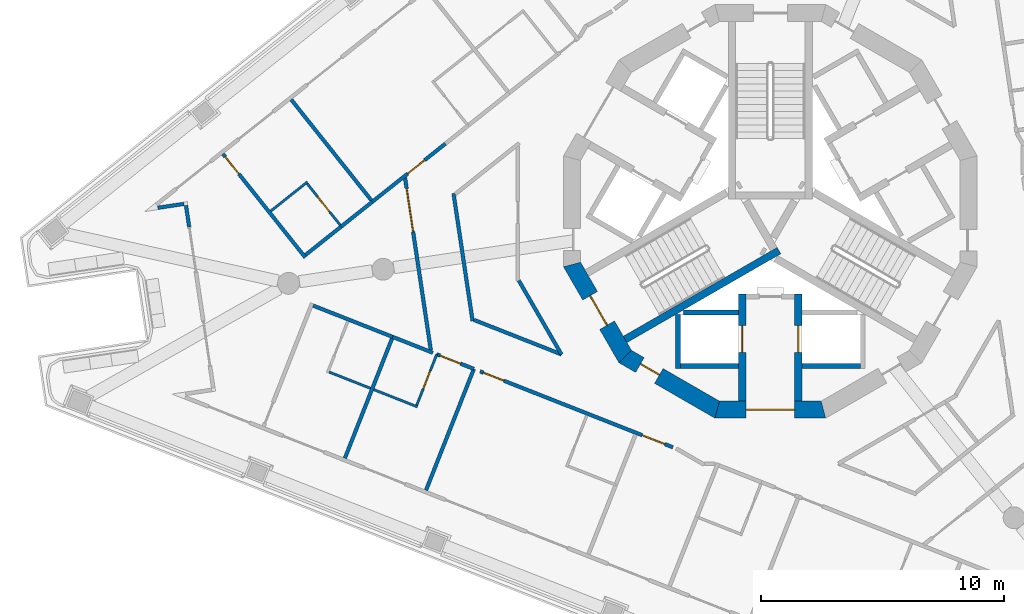
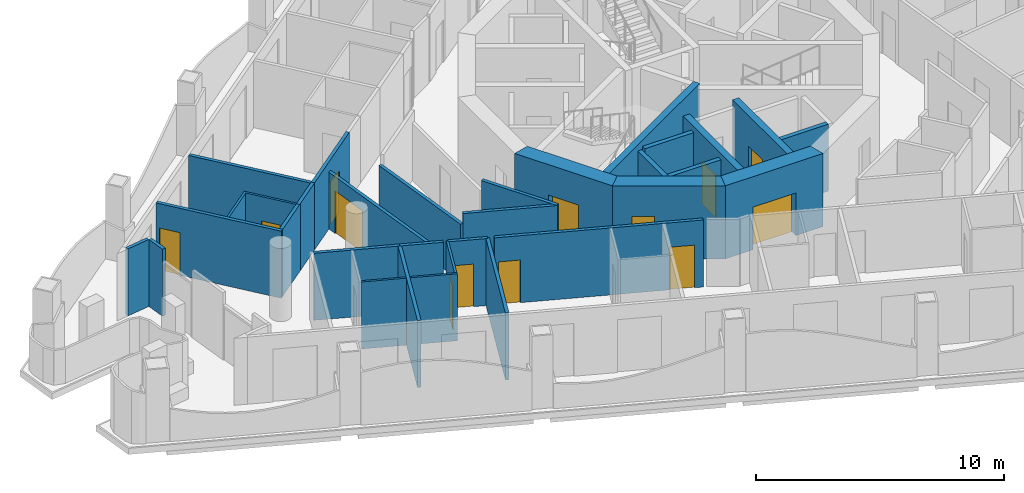
# One storey, part 3 of 17: 32 walls, 13 doors, 13 openings.
"""IFC4 building model written with IfcOpenShell, lengths in metres."""

from ifc_helpers import new_model, si_unit, direction, frame, frame_2d, origin, place, context, subcontext, project, spatial, polyline, rectangle, outline, extrude, material, layer, layer_set, type_object, element, fill, save


model = new_model("IFC4")

# Units and contexts
model_context = context("Model", 3, precision=1e-05, world=origin(), true_north=direction((0.0, 1.0)))
body_context = subcontext(model_context, "Body", "Model", "MODEL_VIEW")
ifc_project = project(units=[si_unit("LENGTHUNIT", "METRE"), si_unit("AREAUNIT", "SQUARE_METRE"), si_unit("VOLUMEUNIT", "CUBIC_METRE"), si_unit("PLANEANGLEUNIT", "RADIAN"), si_unit("MASSUNIT", "GRAM", prefix="KILO")], contexts=[model_context])

# Site, building, storey
site_placement = place(None, origin())
site = spatial("IfcSite", under=ifc_project, at=site_placement, CompositionType="ELEMENT")
building_placement = place(site_placement, origin())
building = spatial("IfcBuilding", under=site, at=building_placement, Name="Trine Commons Tower", CompositionType="ELEMENT")
storey_placement = place(building_placement, frame((0.0, 0.0, 208.800048828125)))
storey = spatial("IfcBuildingStorey", under=building, at=storey_placement, Name="L54", CompositionType="ELEMENT", Elevation=208.800048828125)

# Walls
ifc_material_1 = material(Name="Aluminium-framed insulated wall panel", Category="aluminium")
ifc_layer_1 = layer(ifc_material_1, 0.14990234375)
ifc_layer_set_1 = layer_set([ifc_layer_1], Name="Aluminium-framed insulated wall panel")
wall_type_1 = type_object("IfcWallType", Name="Glazed frame wall 150, EI 60", PredefinedType="SOLIDWALL", material=ifc_layer_set_1)
wall_1_placement = place(storey_placement, frame((56.115966796875, 61.86279296875, 0.0), z_axis=(0.0, 0.0, 1.0), x_axis=(-0.147946480694, 0.988995368468, 0.0)))
element("IfcWall", 1, at=wall_1_placement, inside=storey, type_object=wall_type_1, Name="Glazed frame wall P3.5", PredefinedType="SOLIDWALL", context=body_context, shape_type="SweptSolid", body=[
    extrude(outline(polyline([(0.889892578125, 0.074951171875), (0.0, 0.074951171875), (0.0, -0.074951171875), (0.889892578125, -0.074951171875), (0.889892578125, 0.074951171875)])), origin(), (0.0, 0.0, 1.0), 3.300048828125),
])
wall_2_placement = place(storey_placement, frame((56.0078125, 62.822265625, 0.0), z_axis=(0.0, 0.0, 1.0), x_axis=(-0.98902141065, -0.147772288596, 0.0)))
element("IfcWall", 2, at=wall_2_placement, inside=storey, type_object=wall_type_1, Name="Glazed frame wall R12", PredefinedType="SOLIDWALL", context=body_context, shape_type="SweptSolid", body=[
    extrude(outline(polyline([(0.110107421875, 0.074951171875), (0.110107421875, -0.074951171875), (1.19580078125, -0.074951171875), (1.19580078125, 0.074951171875), (0.110107421875, 0.074951171875)])), origin(), (0.0, 0.0, 1.0), 3.300048828125),
])

# Wall, opening, door
ifc_material_2 = material(Name="Concrete C60/75", Category="concrete")
ifc_layer_2 = layer(ifc_material_2, 0.300048828125)
ifc_layer_set_2 = layer_set([ifc_layer_2], Name="Concrete C60/75")
wall_type_2 = type_object("IfcWallType", Name="RC shear wall 300 mm, C60/75", PredefinedType="SHEAR", material=ifc_layer_set_2)
wall_3_placement = place(storey_placement, frame((78.85009765625, 59.10009765625, 0.0), z_axis=(0.0, 0.0, 1.0), x_axis=(0.0, -1.0, 0.0)))
wall_3 = element("IfcWall", 3, at=wall_3_placement, inside=storey, type_object=wall_type_2, Name="Core cross wall SWC-03 L54", PredefinedType="SHEAR", context=body_context, shape_type="SweptSolid", body=[
    extrude(rectangle(XDim=4.400146484375, YDim=0.300048828125, at=frame_2d((2.2001953125, 0.0))), origin(), (0.0, 0.0, 1.0), 3.599853515625),
])
opening_1_placement = place(wall_3_placement, frame((1.300048828125, 0.0, 0.0)))
opening_1 = element("IfcOpeningElement", 4, at=opening_1_placement, cuts=wall_3, Name="Opening LD10", PredefinedType="OPENING", context=body_context, shape_type="SweptSolid", body=[
    extrude(rectangle(XDim=1.10009765625, YDim=2.10009765625, at=frame_2d((0.550048828125, 1.050048828125))), frame((0.0, 0.159912109375, 0.0), z_axis=(0.0, -1.0, 0.0), x_axis=(1.0, 0.0, 0.0)), (0.0, 0.0, 1.0), 0.320068359375),
])
ifc_material_3 = material(Name="Stainless steel sliding door leaves", Category="steel")
door_type_1 = type_object("IfcDoorType", Name="Lift landing door, centre-opening sliding 1100 x 2100, FD90", OperationType="DOUBLE_DOOR_SLIDING", PredefinedType="DOOR", material=ifc_material_3)
door_1_placement = place(opening_1_placement, origin())
door_1 = element("IfcDoor", 5, at=door_1_placement, inside=storey, type_object=door_type_1, Name="Lift landing door FF2 L54", OperationType="DOUBLE_DOOR_SLIDING", OverallHeight=2.10009765625, OverallWidth=1.10009765625, PredefinedType="DOOR", context=body_context, shape_type="SweptSolid", body=[
    extrude(rectangle(XDim=1.10009765625, YDim=2.10009765625, at=frame_2d((0.550048828125, 1.050048828125))), frame((0.0, 0.02490234375, 0.0), z_axis=(0.0, -1.0, 0.0), x_axis=(1.0, 0.0, 0.0)), (0.0, 0.0, 1.0), 0.050048828125),
])
fill(opening_1, door_1)

wall_4_placement = place(storey_placement, frame((81.14990234375, 59.10009765625, 0.0), z_axis=(0.0, 0.0, 1.0), x_axis=(0.0, -1.0, 0.0)))
wall_4 = element("IfcWall", 6, at=wall_4_placement, inside=storey, type_object=wall_type_2, Name="Core cross wall SWC-04 L54", PredefinedType="SHEAR", context=body_context, shape_type="SweptSolid", body=[
    extrude(rectangle(XDim=4.400146484375, YDim=0.300048828125, at=frame_2d((2.2001953125, 0.0))), origin(), (0.0, 0.0, 1.0), 3.599853515625),
])
opening_2_placement = place(wall_4_placement, frame((1.300048828125, 0.0, 0.0)))
opening_2 = element("IfcOpeningElement", 7, at=opening_2_placement, cuts=wall_4, Name="Opening LD9", PredefinedType="OPENING", context=body_context, shape_type="SweptSolid", body=[
    extrude(rectangle(XDim=1.10009765625, YDim=2.10009765625, at=frame_2d((0.550048828125, 1.050048828125))), frame((0.0, 0.159912109375, 0.0), z_axis=(0.0, -1.0, 0.0), x_axis=(1.0, 0.0, 0.0)), (0.0, 0.0, 1.0), 0.320068359375),
])
door_2_placement = place(opening_2_placement, origin())
door_2 = element("IfcDoor", 8, at=door_2_placement, inside=storey, type_object=door_type_1, Name="Lift landing door FF1 L54", OperationType="DOUBLE_DOOR_SLIDING", OverallHeight=2.10009765625, OverallWidth=1.10009765625, PredefinedType="DOOR", context=body_context, shape_type="SweptSolid", body=[
    extrude(rectangle(XDim=1.10009765625, YDim=2.10009765625, at=frame_2d((0.550048828125, 1.050048828125))), frame((0.0, 0.02490234375, 0.0), z_axis=(0.0, -1.0, 0.0), x_axis=(1.0, 0.0, 0.0)), (0.0, 0.0, 1.0), 0.050048828125),
])
fill(opening_2, door_2)

# Wall
wall_5_placement = place(storey_placement, frame((80.35400390625, 60.885986328125, 0.0), z_axis=(0.0, 0.0, 1.0), x_axis=(-0.866032430508, -0.49998782916, 0.0)))
element("IfcWall", 9, at=wall_5_placement, inside=storey, type_object=wall_type_2, Name="Core cross wall SWC-14 L54", PredefinedType="SHEAR", context=body_context, shape_type="SweptSolid", body=[
    extrude(rectangle(XDim=7.300048828125, YDim=0.300048828125, at=frame_2d((3.64990234375, 0.0))), origin(), (0.0, 0.0, 1.0), 3.599853515625),
])

# Wall, opening, door
ifc_layer_3 = layer(ifc_material_2, 0.699951171875)
ifc_layer_set_3 = layer_set([ifc_layer_3], Name="Concrete C60/75")
wall_type_3 = type_object("IfcWallType", Name="RC shear wall 700 mm, C60/75", PredefinedType="SHEAR", material=ifc_layer_set_3)
wall_6_placement = place(storey_placement, frame((71.802978515625, 60.3974609375, 0.0), z_axis=(0.0, 0.0, 1.0), x_axis=(0.499983800959, -0.866034756103, 0.0)))
wall_6 = element("IfcWall", 10, at=wall_6_placement, inside=storey, type_object=wall_type_3, Name="Core wall CWF-08 L54", PredefinedType="SHEAR", context=body_context, shape_type="SweptSolid", body=[
    extrude(outline(polyline([(0.0, -0.35009765625), (4.55517578125, -0.35009765625), (4.36767578125, 0.35009765625), (0.1875, 0.35009765625), (0.0, -0.35009765625)])), origin(), (0.0, 0.0, 1.0), 3.599853515625),
])
opening_3_placement = place(wall_6_placement, frame((1.577392578125, 0.0, 0.0)))
opening_3 = element("IfcOpeningElement", 11, at=opening_3_placement, cuts=wall_6, Name="Opening K16.02", PredefinedType="OPENING", context=body_context, shape_type="SweptSolid", body=[
    extrude(rectangle(XDim=1.39990234375, YDim=2.10009765625, at=frame_2d((0.699951171875, 1.050048828125))), frame((0.0, 0.35986328125, 0.0), z_axis=(0.0, -1.0, 0.0), x_axis=(1.0, 0.0, 0.0)), (0.0, 0.0, 1.0), 0.719970703125),
])
ifc_material_4 = material(Name="Steel door leaves, fire-rated", Category="steel")
door_type_2 = type_object("IfcDoorType", Name="Stair door, double leaf 1400 x 2100, FD90", OperationType="DOUBLE_DOOR_SINGLE_SWING", PredefinedType="DOOR", material=ifc_material_4)
door_3_placement = place(opening_3_placement, origin())
door_3 = element("IfcDoor", 12, at=door_3_placement, inside=storey, type_object=door_type_2, Name="Stair door to Exit stair ST2C L54", OperationType="DOUBLE_DOOR_SINGLE_SWING", OverallHeight=2.10009765625, OverallWidth=1.39990234375, PredefinedType="DOOR", context=body_context, shape_type="SweptSolid", body=[
    extrude(rectangle(XDim=1.39990234375, YDim=2.10009765625, at=frame_2d((0.699951171875, 1.050048828125))), frame((0.0, 0.02490234375, 0.0), z_axis=(0.0, -1.0, 0.0), x_axis=(1.0, 0.0, 0.0)), (0.0, 0.0, 1.0), 0.050048828125),
])
fill(opening_3, door_3)

wall_7_placement = place(storey_placement, frame((73.952392578125, 56.58056640625, 0.0), z_axis=(0.0, 0.0, 1.0), x_axis=(0.866034756103, -0.499983800959, 0.0)))
wall_7 = element("IfcWall", 13, at=wall_7_placement, inside=storey, type_object=wall_type_3, Name="Core wall CWF-09 L54", PredefinedType="SHEAR", context=body_context, shape_type="SweptSolid", body=[
    extrude(outline(polyline([(0.0, -0.35009765625), (4.55517578125, -0.35009765625), (4.36767578125, 0.35009765625), (0.1875, 0.35009765625), (0.0, -0.35009765625)])), origin(), (0.0, 0.0, 1.0), 3.599853515625),
])
opening_4_placement = place(wall_7_placement, frame((0.791015625, 0.0, 0.0)))
opening_4 = element("IfcOpeningElement", 14, at=opening_4_placement, cuts=wall_7, Name="Opening K16.15", PredefinedType="OPENING", context=body_context, shape_type="SweptSolid", body=[
    extrude(rectangle(XDim=0.89990234375, YDim=2.10009765625, at=frame_2d((0.449951171875, 1.050048828125))), frame((0.0, 0.35986328125, 0.0), z_axis=(0.0, -1.0, 0.0), x_axis=(1.0, 0.0, 0.0)), (0.0, 0.0, 1.0), 0.719970703125),
])
ifc_material_5 = material(Name="Steel door leaf, fire-rated", Category="steel")
door_type_3 = type_object("IfcDoorType", Name="Core room door, single leaf 900 x 2100, FD30S", OperationType="SINGLE_SWING_LEFT", PredefinedType="DOOR", material=ifc_material_5)
door_4_placement = place(opening_4_placement, origin())
door_4 = element("IfcDoor", 15, at=door_4_placement, inside=storey, type_object=door_type_3, Name="Door to Parcel store L54", OperationType="SINGLE_SWING_LEFT", OverallHeight=2.10009765625, OverallWidth=0.89990234375, PredefinedType="DOOR", context=body_context, shape_type="SweptSolid", body=[
    extrude(rectangle(XDim=0.89990234375, YDim=2.10009765625, at=frame_2d((0.449951171875, 1.050048828125))), frame((0.0, 0.0751953125, 0.0), z_axis=(0.0, -1.0, 0.0), x_axis=(1.0, 0.0, 0.0)), (0.0, 0.0, 1.0), 0.050048828125),
])
fill(opening_4, door_4)

wall_8_placement = place(storey_placement, frame((77.722412109375, 54.349853515625, 0.0), z_axis=(0.0, 0.0, 1.0), x_axis=(1.0, 0.0, 0.0)))
wall_8 = element("IfcWall", 16, at=wall_8_placement, inside=storey, type_object=wall_type_3, Name="Core wall CWF-10 L54", PredefinedType="SHEAR", context=body_context, shape_type="SweptSolid", body=[
    extrude(outline(polyline([(0.0, -0.35009765625), (4.55517578125, -0.35009765625), (4.36767578125, 0.35009765625), (0.1875, 0.35009765625), (0.0, -0.35009765625)])), origin(), (0.0, 0.0, 1.0), 3.599853515625),
])
opening_5_placement = place(wall_8_placement, frame((1.277587890625, 0.0, 0.0)))
opening_5 = element("IfcOpeningElement", 17, at=opening_5_placement, cuts=wall_8, Name="Opening K16.08", PredefinedType="OPENING", context=body_context, shape_type="SweptSolid", body=[
    extrude(rectangle(XDim=2.0, YDim=2.10009765625, at=frame_2d((1.0, 1.050048828125))), frame((0.0, 0.35986328125, 0.0), z_axis=(0.0, -1.0, 0.0), x_axis=(1.0, 0.0, 0.0)), (0.0, 0.0, 1.0), 0.719970703125),
])
door_type_4 = type_object("IfcDoorType", Name="Lobby door, double leaf 2000 x 2100, FD60", OperationType="DOUBLE_DOOR_SINGLE_SWING", PredefinedType="DOOR", material=ifc_material_4)
door_5_placement = place(opening_5_placement, origin())
door_5 = element("IfcDoor", 18, at=door_5_placement, inside=storey, type_object=door_type_4, Name="Lobby door, Service and firefighting lobby L54", OperationType="DOUBLE_DOOR_SINGLE_SWING", OverallHeight=2.10009765625, OverallWidth=2.0, PredefinedType="DOOR", context=body_context, shape_type="SweptSolid", body=[
    extrude(rectangle(XDim=2.0, YDim=2.10009765625, at=frame_2d((1.0, 1.050048828125))), frame((0.0, 0.02490234375, 0.0), z_axis=(0.0, -1.0, 0.0), x_axis=(1.0, 0.0, 0.0)), (0.0, 0.0, 1.0), 0.050048828125),
])
fill(opening_5, door_5)

# Walls
ifc_material_6 = material(Name="Fire-rated gypsum shaft wall system")
ifc_layer_4 = layer(ifc_material_6, 0.199951171875)
ifc_layer_set_4 = layer_set([ifc_layer_4], Name="Fire-rated gypsum shaft wall system")
wall_type_4 = type_object("IfcWallType", Name="Shaft wall 200 mm, EI 120", PredefinedType="PARTITIONING", material=ifc_layer_set_4)
wall_9_placement = place(storey_placement, frame((76.199951171875, 58.257080078125, 0.0), z_axis=(0.0, 0.0, 1.0), x_axis=(0.0, -1.0, 0.0)))
element("IfcWall", 19, at=wall_9_placement, inside=storey, type_object=wall_type_4, Name="Shaft wall L54", PredefinedType="PARTITIONING", context=body_context, shape_type="SweptSolid", body=[
    extrude(rectangle(XDim=2.20703125, YDim=0.199951171875, at=frame_2d((1.103515625, 0.0))), origin(), (0.0, 0.0, 1.0), 3.300048828125),
])
wall_10_placement = place(storey_placement, frame((78.699951171875, 56.14990234375, 0.0), z_axis=(0.0, 0.0, 1.0), x_axis=(-1.0, 0.0, 0.0)))
element("IfcWall", 20, at=wall_10_placement, inside=storey, type_object=wall_type_4, Name="Shaft wall L54", PredefinedType="PARTITIONING", context=body_context, shape_type="SweptSolid", body=[
    extrude(rectangle(XDim=2.39990234375, YDim=0.199951171875, at=frame_2d((1.199951171875, 0.0))), origin(), (0.0, 0.0, 1.0), 3.300048828125),
])
wall_11_placement = place(storey_placement, frame((78.699951171875, 58.35009765625, 0.0), z_axis=(0.0, 0.0, 1.0), x_axis=(-1.0, 0.0, 0.0)))
element("IfcWall", 21, at=wall_11_placement, inside=storey, type_object=wall_type_4, Name="Shaft wall L54", PredefinedType="PARTITIONING", context=body_context, shape_type="SweptSolid", body=[
    extrude(rectangle(XDim=2.264892578125, YDim=0.199951171875, at=frame_2d((1.13232421875, 0.0))), origin(), (0.0, 0.0, 1.0), 3.300048828125),
])
wall_12_placement = place(storey_placement, frame((81.300048828125, 56.14990234375, 0.0), z_axis=(0.0, 0.0, 1.0), x_axis=(1.0, 0.0, 0.0)))
element("IfcWall", 22, at=wall_12_placement, inside=storey, type_object=wall_type_4, Name="Shaft wall L54", PredefinedType="PARTITIONING", context=body_context, shape_type="SweptSolid", body=[
    extrude(rectangle(XDim=2.39990234375, YDim=0.199951171875, at=frame_2d((1.199951171875, 0.0))), origin(), (0.0, 0.0, 1.0), 3.300048828125),
])

# Wall, opening, door
ifc_material_7 = material(Name="Gypsum plasterboard on steel stud", Category="steel")
ifc_layer_5 = layer(ifc_material_7, 0.14990234375)
ifc_layer_set_5 = layer_set([ifc_layer_5], Name="Gypsum plasterboard on steel stud")
wall_type_5 = type_object("IfcWallType", Name="Unit and corridor wall 150 mm, EI 60", PredefinedType="PARTITIONING", material=ifc_layer_set_5)
wall_13_placement = place(storey_placement, frame((57.50390625, 64.858642578125, 0.0), z_axis=(0.0, 0.0, 1.0), x_axis=(0.622567332104, -0.782566238089, 0.0)))
wall_13 = element("IfcWall", 23, at=wall_13_placement, inside=storey, type_object=wall_type_5, Name="Partition 001", PredefinedType="PARTITIONING", context=body_context, shape_type="SweptSolid", body=[
    extrude(rectangle(XDim=5.435302734375, YDim=0.14990234375, at=frame_2d((2.7177734375, 0.0))), origin(), (0.0, 0.0, 1.0), 3.300048828125),
])
opening_6_placement = place(wall_13_placement, frame((0.14990234375, 0.0, 0.0)))
opening_6 = element("IfcOpeningElement", 24, at=opening_6_placement, cuts=wall_13, Name="Opening D-6B05", PredefinedType="OPENING", context=body_context, shape_type="SweptSolid", body=[
    extrude(rectangle(XDim=0.89990234375, YDim=2.10009765625, at=frame_2d((0.449951171875, 1.050048828125))), frame((0.0, 0.0849609375, 0.0), z_axis=(0.0, -1.0, 0.0), x_axis=(1.0, 0.0, 0.0)), (0.0, 0.0, 1.0), 0.169921875),
])
ifc_material_8 = material(Name="Timber fire door set", Category="wood")
door_type_5 = type_object("IfcDoorType", Name="Bedroom door 900 x 2100, FD30S", OperationType="NOTDEFINED", PredefinedType="DOOR", material=ifc_material_8)
door_6_placement = place(opening_6_placement, origin())
door_6 = element("IfcDoor", 25, at=door_6_placement, inside=storey, type_object=door_type_5, Name="Door D-6B05", OperationType="SINGLE_SWING_LEFT", OverallHeight=2.10009765625, OverallWidth=0.89990234375, PredefinedType="DOOR", context=body_context, shape_type="SweptSolid", body=[
    extrude(rectangle(XDim=0.89990234375, YDim=2.10009765625, at=frame_2d((0.449951171875, 1.050048828125))), frame((0.0, 0.02490234375, 0.0), z_axis=(0.0, -1.0, 0.0), x_axis=(1.0, 0.0, 0.0)), (0.0, 0.0, 1.0), 0.050048828125),
])
fill(opening_6, door_6)

# Walls
wall_14_placement = place(storey_placement, frame((60.309814453125, 67.091796875, 0.0), z_axis=(0.0, 0.0, 1.0), x_axis=(0.622585933561, -0.782551439416, 0.0)))
element("IfcWall", 26, at=wall_14_placement, inside=storey, type_object=wall_type_5, Name="Partition 004", PredefinedType="PARTITIONING", context=body_context, shape_type="SweptSolid", body=[
    extrude(rectangle(XDim=5.28515625, YDim=0.14990234375, at=frame_2d((2.642578125, 0.0))), origin(), (0.0, 0.0, 1.0), 3.300048828125),
])
wall_15_placement = place(storey_placement, frame((60.899658203125, 60.710693359375, 0.0), z_axis=(0.0, 0.0, 1.0), x_axis=(0.782680939845, 0.622423124894, 0.0)))
element("IfcWall", 27, at=wall_15_placement, inside=storey, type_object=wall_type_5, Name="Partition 005", PredefinedType="PARTITIONING", context=body_context, shape_type="SweptSolid", body=[
    extrude(rectangle(XDim=1.9287109375, YDim=0.14990234375, at=frame_2d((0.96435546875, 0.0))), origin(), (0.0, 0.0, 1.0), 3.300048828125),
])
wall_16_placement = place(storey_placement, frame((61.210693359375, 58.62646484375, 0.0), z_axis=(0.0, 0.0, 1.0), x_axis=(0.930481659578, -0.36633847899, 0.0)))
element("IfcWall", 28, at=wall_16_placement, inside=storey, type_object=wall_type_5, Name="Partition 007", PredefinedType="PARTITIONING", context=body_context, shape_type="SweptSolid", body=[
    extrude(rectangle(XDim=3.511474609375, YDim=0.14990234375, at=frame_2d((1.755859375, 0.0))), origin(), (0.0, 0.0, 1.0), 3.300048828125),
])
wall_17_placement = place(storey_placement, frame((62.364013671875, 61.8759765625, 0.0), z_axis=(0.0, 0.0, 1.0), x_axis=(0.782464195165, 0.622695578341, 0.0)))
element("IfcWall", 29, at=wall_17_placement, inside=storey, type_object=wall_type_5, Name="Partition 010", PredefinedType="PARTITIONING", context=body_context, shape_type="SweptSolid", body=[
    extrude(rectangle(XDim=1.6396484375, YDim=0.14990234375, at=frame_2d((0.81982421875, 0.0))), origin(), (0.0, 0.0, 1.0), 3.300048828125),
])
wall_18_placement = place(storey_placement, frame((62.513671875, 52.352294921875, 0.0), z_axis=(0.0, 0.0, 1.0), x_axis=(0.366423948711, 0.930448004894, 0.0)))
element("IfcWall", 30, at=wall_18_placement, inside=storey, type_object=wall_type_5, Name="Partition 011", PredefinedType="PARTITIONING", context=body_context, shape_type="SweptSolid", body=[
    extrude(rectangle(XDim=5.28564453125, YDim=0.14990234375, at=frame_2d((2.642822265625, 0.0))), origin(), (0.0, 0.0, 1.0), 3.300048828125),
])

# Wall, opening, door
wall_19_placement = place(storey_placement, frame((63.64697265625, 62.89697265625, 0.0), z_axis=(0.0, 0.0, 1.0), x_axis=(0.78262647409, 0.622491608018, 0.0)))
wall_19 = element("IfcWall", 31, at=wall_19_placement, inside=storey, type_object=wall_type_5, Name="Partition 013", PredefinedType="PARTITIONING", context=body_context, shape_type="SweptSolid", body=[
    extrude(rectangle(XDim=3.828369140625, YDim=0.14990234375, at=frame_2d((1.9140625, 0.0))), origin(), (0.0, 0.0, 1.0), 3.300048828125),
])
opening_7_placement = place(wall_19_placement, frame((1.847900390625, 0.0, 0.0)))
opening_7 = element("IfcOpeningElement", 32, at=opening_7_placement, cuts=wall_19, Name="Opening D-6B06", PredefinedType="OPENING", context=body_context, shape_type="SweptSolid", body=[
    extrude(rectangle(XDim=0.89990234375, YDim=2.10009765625, at=frame_2d((0.449951171875, 1.050048828125))), frame((0.0, 0.0849609375, 0.0), z_axis=(0.0, -1.0, 0.0), x_axis=(1.0, 0.0, 0.0)), (0.0, 0.0, 1.0), 0.169921875),
])
door_7_placement = place(opening_7_placement, origin())
door_7 = element("IfcDoor", 33, at=door_7_placement, inside=storey, type_object=door_type_5, Name="Door D-6B06", OperationType="SINGLE_SWING_RIGHT", OverallHeight=2.10009765625, OverallWidth=0.89990234375, PredefinedType="DOOR", context=body_context, shape_type="SweptSolid", body=[
    extrude(rectangle(XDim=0.89990234375, YDim=2.10009765625, at=frame_2d((0.449951171875, 1.050048828125))), frame((0.0, 0.02490234375, 0.0), z_axis=(0.0, -1.0, 0.0), x_axis=(1.0, 0.0, 0.0)), (0.0, 0.0, 1.0), 0.050048828125),
])
fill(opening_7, door_7)

# Wall
wall_20_placement = place(storey_placement, frame((64.47802734375, 57.340087890625, 0.0), z_axis=(0.0, 0.0, 1.0), x_axis=(0.930260356215, -0.366900081295, 0.0)))
element("IfcWall", 34, at=wall_20_placement, inside=storey, type_object=wall_type_5, Name="Partition 014", PredefinedType="PARTITIONING", context=body_context, shape_type="SweptSolid", body=[
    extrude(rectangle(XDim=1.7734375, YDim=0.14990234375, at=frame_2d((0.88671875, 0.0))), origin(), (0.0, 0.0, 1.0), 3.300048828125),
])

# Wall, opening, door
wall_21_placement = place(storey_placement, frame((64.987060546875, 63.8798828125, 0.0), z_axis=(0.0, 0.0, 1.0), x_axis=(0.147865724858, -0.98900744558, 0.0)))
wall_21 = element("IfcWall", 35, at=wall_21_placement, inside=storey, type_object=wall_type_5, Name="Partition 015", PredefinedType="PARTITIONING", context=body_context, shape_type="SweptSolid", body=[
    extrude(rectangle(XDim=7.16748046875, YDim=0.14990234375, at=frame_2d((3.583740234375, 0.0))), origin(), (0.0, 0.0, 1.0), 2.800048828125),
])
opening_8_placement = place(wall_21_placement, frame((0.44677734375, 0.0, 0.0)))
opening_8 = element("IfcOpeningElement", 36, at=opening_8_placement, cuts=wall_21, Name="Opening D-6B03", PredefinedType="OPENING", context=body_context, shape_type="SweptSolid", body=[
    extrude(rectangle(XDim=1.800048828125, YDim=2.10009765625, at=frame_2d((0.89990234375, 1.050048828125))), frame((0.0, 0.0849609375, 0.0), z_axis=(0.0, -1.0, 0.0), x_axis=(1.0, 0.0, 0.0)), (0.0, 0.0, 1.0), 0.169921875),
])
door_type_6 = type_object("IfcDoorType", Name="Cluster entrance door 1800 x 2100, double leaf, FD30S", OperationType="DOUBLE_DOOR_DOUBLE_SWING", PredefinedType="DOOR", material=ifc_material_8)
door_8_placement = place(opening_8_placement, frame((1.800048828125, 0.0, 0.0), z_axis=(0.0, 0.0, 1.0), x_axis=(-1.0, 0.0, 0.0)))
door_8 = element("IfcDoor", 37, at=door_8_placement, inside=storey, type_object=door_type_6, Name="Door D-6B03", OperationType="DOUBLE_DOOR_DOUBLE_SWING", OverallHeight=2.10009765625, OverallWidth=1.800048828125, PredefinedType="DOOR", context=body_context, shape_type="SweptSolid", body=[
    extrude(rectangle(XDim=1.800048828125, YDim=2.10009765625, at=frame_2d((0.89990234375, 1.050048828125))), frame((0.0, 0.02490234375, 0.0), z_axis=(0.0, -1.0, 0.0), x_axis=(1.0, 0.0, 0.0)), (0.0, 0.0, 1.0), 0.050048828125),
])
fill(opening_8, door_8)

# Wall
wall_22_placement = place(storey_placement, frame((65.849609375, 51.0380859375, 0.0), z_axis=(0.0, 0.0, 1.0), x_axis=(0.366500620458, 0.930417806796, 0.0)))
element("IfcWall", 38, at=wall_22_placement, inside=storey, type_object=wall_type_5, Name="Partition 018", PredefinedType="PARTITIONING", context=body_context, shape_type="SweptSolid", body=[
    extrude(rectangle(XDim=5.35986328125, YDim=0.14990234375, at=frame_2d((2.679931640625, 0.0))), origin(), (0.0, 0.0, 1.0), 3.300048828125),
])

# Wall, opening, door
wall_23_placement = place(storey_placement, frame((66.2880859375, 56.6259765625, 0.0), z_axis=(0.0, 0.0, 1.0), x_axis=(0.930551023018, -0.366162250321, 0.0)))
wall_23 = element("IfcWall", 39, at=wall_23_placement, inside=storey, type_object=wall_type_5, Name="Partition 022", PredefinedType="PARTITIONING", context=body_context, shape_type="SweptSolid", body=[
    extrude(rectangle(XDim=1.644287109375, YDim=0.14990234375, at=frame_2d((0.822265625, 0.0))), origin(), (0.0, 0.0, 1.0), 3.300048828125),
])
opening_9_placement = place(wall_23_placement, frame((0.154052734375, 0.0, 0.0)))
opening_9 = element("IfcOpeningElement", 40, at=opening_9_placement, cuts=wall_23, Name="Opening D-6B26", PredefinedType="OPENING", context=body_context, shape_type="SweptSolid", body=[
    extrude(rectangle(XDim=0.89990234375, YDim=2.10009765625, at=frame_2d((0.449951171875, 1.050048828125))), frame((0.0, 0.0849609375, 0.0), z_axis=(0.0, -1.0, 0.0), x_axis=(1.0, 0.0, 0.0)), (0.0, 0.0, 1.0), 0.169921875),
])
door_9_placement = place(opening_9_placement, frame((0.89990234375, 0.0, 0.0), z_axis=(0.0, 0.0, 1.0), x_axis=(-1.0, 0.0, 0.0)))
door_9 = element("IfcDoor", 41, at=door_9_placement, inside=storey, type_object=door_type_5, Name="Door D-6B26", OperationType="SINGLE_SWING_RIGHT", OverallHeight=2.10009765625, OverallWidth=0.89990234375, PredefinedType="DOOR", context=body_context, shape_type="SweptSolid", body=[
    extrude(rectangle(XDim=0.89990234375, YDim=2.10009765625, at=frame_2d((0.449951171875, 1.050048828125))), frame((0.0, 0.02490234375, 0.0), z_axis=(0.0, -1.0, 0.0), x_axis=(1.0, 0.0, 0.0)), (0.0, 0.0, 1.0), 0.050048828125),
])
fill(opening_9, door_9)

# Walls
wall_24_placement = place(storey_placement, frame((66.97998046875, 63.234130859375, 0.0), z_axis=(0.0, 0.0, 1.0), x_axis=(0.14773017043, -0.989027702719, 0.0)))
element("IfcWall", 42, at=wall_24_placement, inside=storey, type_object=wall_type_5, Name="Partition 024", PredefinedType="PARTITIONING", context=body_context, shape_type="SweptSolid", body=[
    extrude(rectangle(XDim=5.301513671875, YDim=0.14990234375, at=frame_2d((2.65087890625, 0.0))), origin(), (0.0, 0.0, 1.0), 2.800048828125),
])
wall_25_placement = place(storey_placement, frame((67.82177734375, 58.03759765625, 0.0), z_axis=(0.0, 0.0, 1.0), x_axis=(0.930426693307, -0.366478059892, 0.0)))
element("IfcWall", 43, at=wall_25_placement, inside=storey, type_object=wall_type_5, Name="Partition 027", PredefinedType="PARTITIONING", context=body_context, shape_type="SweptSolid", body=[
    extrude(rectangle(XDim=3.85986328125, YDim=0.14990234375, at=frame_2d((1.929931640625, 0.0))), origin(), (0.0, 0.0, 1.0), 3.300048828125),
])

# Wall, openings, doors
wall_26_placement = place(storey_placement, frame((68.072021484375, 55.924072265625, 0.0), z_axis=(0.0, 0.0, 1.0), x_axis=(0.930389729542, -0.366571890852, 0.0)))
wall_26 = element("IfcWall", 44, at=wall_26_placement, inside=storey, type_object=wall_type_5, Name="Partition 029", PredefinedType="PARTITIONING", context=body_context, shape_type="SweptSolid", body=[
    extrude(rectangle(XDim=8.516845703125, YDim=0.14990234375, at=frame_2d((4.25830078125, 0.0))), origin(), (0.0, 0.0, 1.0), 3.300048828125),
])
opening_10_placement = place(wall_26_placement, frame((7.162109375, 0.0, 0.0)))
opening_10 = element("IfcOpeningElement", 45, at=opening_10_placement, cuts=wall_26, Name="Opening D-6B24", PredefinedType="OPENING", context=body_context, shape_type="SweptSolid", body=[
    extrude(rectangle(XDim=1.0, YDim=2.10009765625, at=frame_2d((0.5, 1.050048828125))), frame((0.0, 0.0849609375, 0.0), z_axis=(0.0, -1.0, 0.0), x_axis=(1.0, 0.0, 0.0)), (0.0, 0.0, 1.0), 0.169921875),
])
opening_11_placement = place(wall_26_placement, frame((0.14990234375, 0.0, 0.0)))
opening_11 = element("IfcOpeningElement", 46, at=opening_11_placement, cuts=wall_26, Name="Opening D-6B25", PredefinedType="OPENING", context=body_context, shape_type="SweptSolid", body=[
    extrude(rectangle(XDim=0.89990234375, YDim=2.10009765625, at=frame_2d((0.449951171875, 1.050048828125))), frame((0.0, 0.0849609375, 0.0), z_axis=(0.0, -1.0, 0.0), x_axis=(1.0, 0.0, 0.0)), (0.0, 0.0, 1.0), 0.169921875),
])
door_10_placement = place(opening_11_placement, frame((0.89990234375, 0.0, 0.0), z_axis=(0.0, 0.0, 1.0), x_axis=(-1.0, 0.0, 0.0)))
door_10 = element("IfcDoor", 47, at=door_10_placement, inside=storey, type_object=door_type_5, Name="Door D-6B25", OperationType="SINGLE_SWING_RIGHT", OverallHeight=2.10009765625, OverallWidth=0.89990234375, PredefinedType="DOOR", context=body_context, shape_type="SweptSolid", body=[
    extrude(rectangle(XDim=0.89990234375, YDim=2.10009765625, at=frame_2d((0.449951171875, 1.050048828125))), frame((0.0, 0.02490234375, 0.0), z_axis=(0.0, -1.0, 0.0), x_axis=(1.0, 0.0, 0.0)), (0.0, 0.0, 1.0), 0.050048828125),
])
fill(opening_11, door_10)
ifc_material_9 = material(Name="Painted timber", Category="wood")
door_type_7 = type_object("IfcDoorType", Name="Toilet door 1000 x 2100, NOT RATED", OperationType="NOTDEFINED", PredefinedType="DOOR", material=ifc_material_9)
door_11_placement = place(opening_10_placement, frame((1.0, 0.0, 0.0), z_axis=(0.0, 0.0, 1.0), x_axis=(-1.0, 0.0, 0.0)))
door_11 = element("IfcDoor", 48, at=door_11_placement, inside=storey, type_object=door_type_7, Name="Door D-6B24", OperationType="SINGLE_SWING_LEFT", OverallHeight=2.10009765625, OverallWidth=1.0, PredefinedType="DOOR", context=body_context, shape_type="SweptSolid", body=[
    extrude(rectangle(XDim=1.0, YDim=2.10009765625, at=frame_2d((0.5, 1.050048828125))), frame((0.0, 0.02490234375, 0.0), z_axis=(0.0, -1.0, 0.0), x_axis=(1.0, 0.0, 0.0)), (0.0, 0.0, 1.0), 0.050048828125),
])
fill(opening_10, door_11)

# Walls
wall_27_placement = place(storey_placement, frame((69.66259765625, 59.655029296875, 0.0), z_axis=(0.0, 0.0, 1.0), x_axis=(0.50005009493, -0.865996479531, 0.0)))
element("IfcWall", 49, at=wall_27_placement, inside=storey, type_object=wall_type_5, Name="Partition 033", PredefinedType="PARTITIONING", context=body_context, shape_type="SweptSolid", body=[
    extrude(rectangle(XDim=3.504638671875, YDim=0.14990234375, at=frame_2d((1.75244140625, 0.0))), origin(), (0.0, 0.0, 1.0), 3.300048828125),
])
ifc_layer_6 = layer(ifc_material_7, 0.10009765625)
ifc_layer_set_6 = layer_set([ifc_layer_6], Name="Gypsum plasterboard on steel stud")
wall_type_6 = type_object("IfcWallType", Name="Unit partition 100 mm, no rating", PredefinedType="PARTITIONING", material=ifc_layer_set_6)
wall_28_placement = place(storey_placement, frame((59.4677734375, 62.5107421875, 0.0), z_axis=(0.0, 0.0, 1.0), x_axis=(0.782598245326, 0.62252709693, 0.0)))
element("IfcWall", 50, at=wall_28_placement, inside=storey, type_object=wall_type_6, Name="Partition 003", PredefinedType="PARTITIONING", context=body_context, shape_type="SweptSolid", body=[
    extrude(rectangle(XDim=1.9248046875, YDim=0.10009765625, at=frame_2d((0.96240234375, 0.0))), origin(), (0.0, 0.0, 1.0), 3.300048828125),
])

# Wall, opening, door
wall_29_placement = place(storey_placement, frame((60.966064453125, 63.638916015625, 0.0), z_axis=(0.0, 0.0, 1.0), x_axis=(0.622598555727, -0.782541397248, 0.0)))
wall_29 = element("IfcWall", 51, at=wall_29_placement, inside=storey, type_object=wall_type_6, Name="Partition 006", PredefinedType="PARTITIONING", context=body_context, shape_type="SweptSolid", body=[
    extrude(rectangle(XDim=2.175048828125, YDim=0.10009765625, at=frame_2d((1.08740234375, 0.0))), origin(), (0.0, 0.0, 1.0), 3.300048828125),
])
opening_12_placement = place(wall_29_placement, frame((0.6875, 0.0, 0.0)))
opening_12 = element("IfcOpeningElement", 52, at=opening_12_placement, cuts=wall_29, Name="Opening D-6B35", PredefinedType="OPENING", context=body_context, shape_type="SweptSolid", body=[
    extrude(rectangle(XDim=0.800048828125, YDim=2.10009765625, at=frame_2d((0.39990234375, 1.050048828125))), frame((0.0, 0.06005859375, 0.0), z_axis=(0.0, -1.0, 0.0), x_axis=(1.0, 0.0, 0.0)), (0.0, 0.0, 1.0), 0.1201171875),
])
door_type_8 = type_object("IfcDoorType", Name="Internal door 800 x 2100, NOT RATED", OperationType="NOTDEFINED", PredefinedType="DOOR", material=ifc_material_9)
door_12_placement = place(opening_12_placement, origin())
door_12 = element("IfcDoor", 53, at=door_12_placement, inside=storey, type_object=door_type_8, Name="Door D-6B35", OperationType="SINGLE_SWING_LEFT", OverallHeight=2.10009765625, OverallWidth=0.800048828125, PredefinedType="DOOR", context=body_context, shape_type="SweptSolid", body=[
    extrude(rectangle(XDim=0.800048828125, YDim=2.10009765625, at=frame_2d((0.39990234375, 1.050048828125))), frame((0.0, 0.02490234375, 0.0), z_axis=(0.0, -1.0, 0.0), x_axis=(1.0, 0.0, 0.0)), (0.0, 0.0, 1.0), 0.050048828125),
])
fill(opening_12, door_12)

# Walls
wall_30_placement = place(storey_placement, frame((61.866455078125, 55.895751953125, 0.0), z_axis=(0.0, 0.0, 1.0), x_axis=(0.930592094338, -0.366057856022, 0.0)))
element("IfcWall", 54, at=wall_30_placement, inside=storey, type_object=wall_type_6, Name="Partition 009", PredefinedType="PARTITIONING", context=body_context, shape_type="SweptSolid", body=[
    extrude(rectangle(XDim=1.825439453125, YDim=0.10009765625, at=frame_2d((0.91259765625, 0.0))), origin(), (0.0, 0.0, 1.0), 3.300048828125),
])
wall_31_placement = place(storey_placement, frame((63.704833984375, 55.172607421875, 0.0), z_axis=(0.0, 0.0, 1.0), x_axis=(0.930345464998, -0.366684218038, 0.0)))
element("IfcWall", 55, at=wall_31_placement, inside=storey, type_object=wall_type_6, Name="Partition 012", PredefinedType="PARTITIONING", context=body_context, shape_type="SweptSolid", body=[
    extrude(rectangle(XDim=1.9248046875, YDim=0.10009765625, at=frame_2d((0.96240234375, 0.0))), origin(), (0.0, 0.0, 1.0), 3.300048828125),
])

# Wall, opening, door
wall_32_placement = place(storey_placement, frame((65.46728515625, 54.531494140625, 0.0), z_axis=(0.0, 0.0, 1.0), x_axis=(0.366521672129, 0.930409514063, 0.0)))
wall_32 = element("IfcWall", 56, at=wall_32_placement, inside=storey, type_object=wall_type_6, Name="Partition 017", PredefinedType="PARTITIONING", context=body_context, shape_type="SweptSolid", body=[
    extrude(rectangle(XDim=2.25, YDim=0.10009765625, at=frame_2d((1.125, 0.0))), origin(), (0.0, 0.0, 1.0), 3.300048828125),
])
opening_13_placement = place(wall_32_placement, frame((0.72509765625, 0.0, 0.0)))
opening_13 = element("IfcOpeningElement", 57, at=opening_13_placement, cuts=wall_32, Name="Opening D-6B54", PredefinedType="OPENING", context=body_context, shape_type="SweptSolid", body=[
    extrude(rectangle(XDim=0.800048828125, YDim=2.10009765625, at=frame_2d((0.39990234375, 1.050048828125))), frame((0.0, 0.06005859375, 0.0), z_axis=(0.0, -1.0, 0.0), x_axis=(1.0, 0.0, 0.0)), (0.0, 0.0, 1.0), 0.1201171875),
])
door_13_placement = place(opening_13_placement, frame((0.800048828125, 0.0, 0.0), z_axis=(0.0, 0.0, 1.0), x_axis=(-1.0, 0.0, 0.0)))
door_13 = element("IfcDoor", 58, at=door_13_placement, inside=storey, type_object=door_type_8, Name="Door D-6B54", OperationType="SINGLE_SWING_LEFT", OverallHeight=2.10009765625, OverallWidth=0.800048828125, PredefinedType="DOOR", context=body_context, shape_type="SweptSolid", body=[
    extrude(rectangle(XDim=0.800048828125, YDim=2.10009765625, at=frame_2d((0.39990234375, 1.050048828125))), frame((0.0, 0.02490234375, 0.0), z_axis=(0.0, -1.0, 0.0), x_axis=(1.0, 0.0, 0.0)), (0.0, 0.0, 1.0), 0.050048828125),
])
fill(opening_13, door_13)

save(model, "model.ifc")
